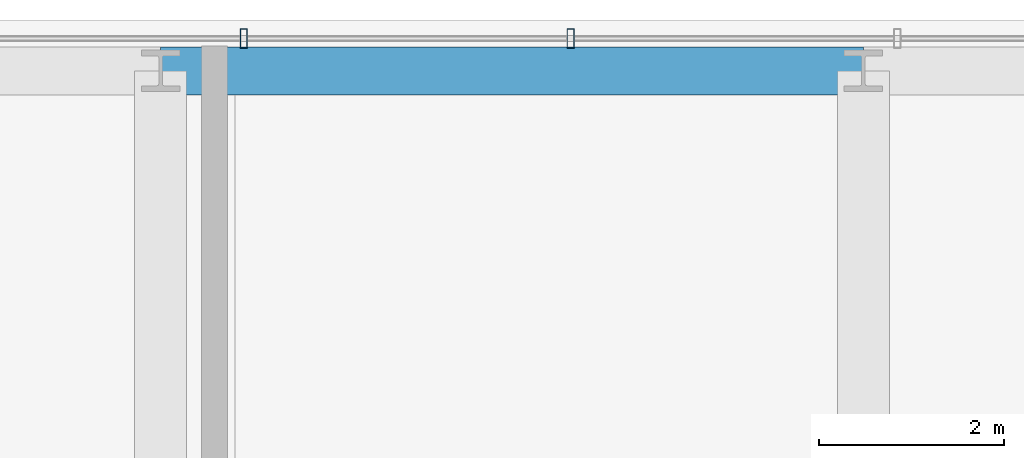
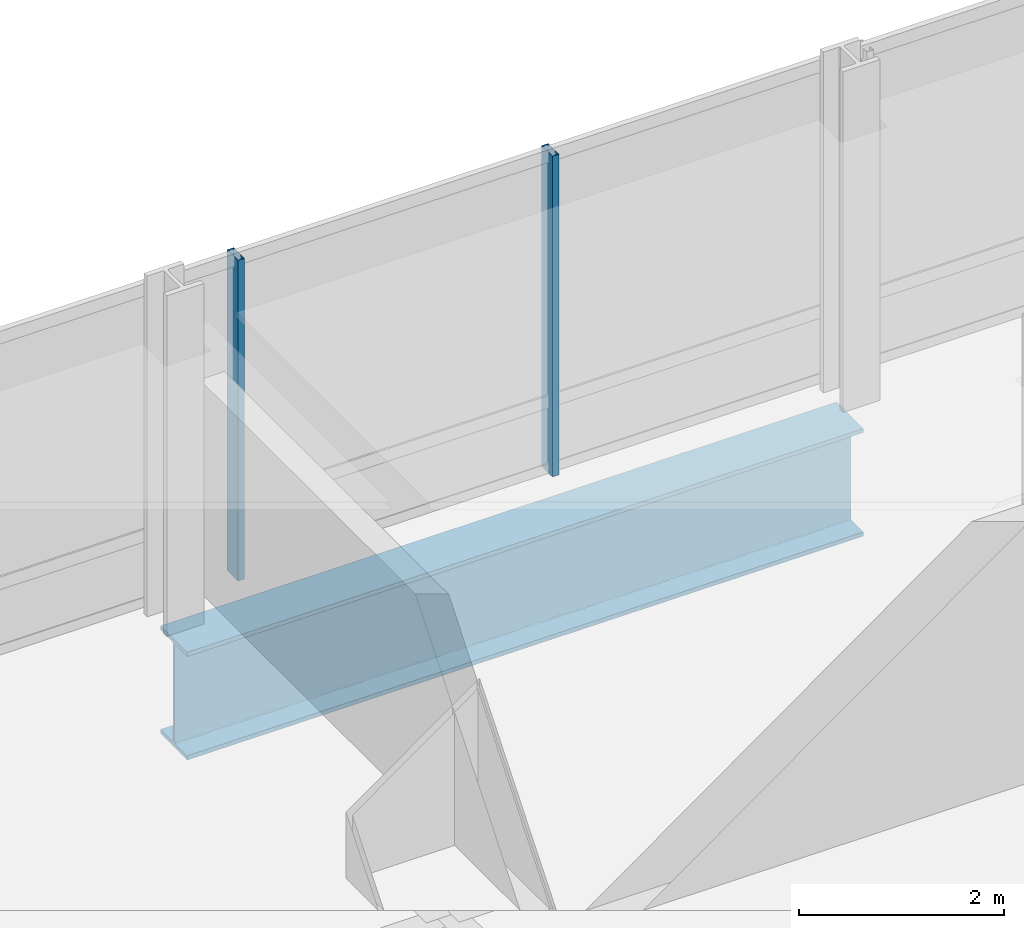
# One storey, part 21 of 34: 2 members, 1 beam, 1 element without a shape of its own.
"""IFC4 building model written with IfcOpenShell, lengths in metres."""

from ifc_helpers import new_model, si_unit, direction, frame, origin, origin_2d, place, context, subcontext, project, spatial, hollow_rectangle, i_section, extrude, material, material_profile, profile_set, type_object, element, aggregate, save


model = new_model("IFC4")

# Units and contexts
model_context = context("Model", 3, precision=1e-05, world=origin(), true_north=direction((0.0, 1.0)))
body_context = subcontext(model_context, "Body", "Model", "MODEL_VIEW")
ifc_project = project(units=[si_unit("LENGTHUNIT", "METRE"), si_unit("AREAUNIT", "SQUARE_METRE"), si_unit("VOLUMEUNIT", "CUBIC_METRE"), si_unit("PLANEANGLEUNIT", "RADIAN"), si_unit("MASSUNIT", "GRAM", prefix="KILO")], contexts=[model_context])

# Site, building, storey
site_placement = place(None, origin())
site = spatial("IfcSite", under=ifc_project, at=site_placement, CompositionType="ELEMENT")
building_placement = place(site_placement, origin())
building = spatial("IfcBuilding", under=site, at=building_placement, Name="Punatoya Terracotta Tower", CompositionType="ELEMENT")
storey_placement = place(building_placement, frame((0.0, 0.0, 97.050048828125)))
storey = spatial("IfcBuildingStorey", under=building, at=storey_placement, Name="L22", CompositionType="ELEMENT", Elevation=97.050048828125)

# Beam
ifc_material_1 = material(Name="Steel S460", Category="steel")
ifc_material_profile_1 = material_profile(ifc_material_1, i_section(OverallWidth=0.52001953125, OverallDepth=1.280029296875, WebThickness=0.031982421875, FlangeThickness=0.050048828125, FilletRadius=0.01806640625, at=origin_2d()))
ifc_profile_set_1 = profile_set([ifc_material_profile_1], Name="Steel S460")
beam_type = type_object("IfcBeamType", Name="BM-TG-NCK", PredefinedType="BEAM", material=ifc_profile_set_1)
beam_placement = place(storey_placement, frame((-3.800048828125, 22.89990234375, -0.880126953125), z_axis=(1.0, 0.0, 0.0), x_axis=(0.0, 1.0, 0.0)))
element("IfcBeam", 1, at=beam_placement, inside=storey, type_object=beam_type, Name="BM-L22-PER-N2", PredefinedType="BEAM", context=body_context, shape_type="SweptSolid", body=[
    extrude(i_section(OverallWidth=0.52001953125, OverallDepth=1.280029296875, WebThickness=0.031982421875, FlangeThickness=0.050048828125, FilletRadius=0.01806640625, at=origin_2d()), origin(), (0.0, 0.0, 1.0), 7.60009765625),
])

# Curtain wall, members
ifc_material_2 = material(Name="Aluminium 6063-T6 + Double Low-E Glass", Category="aluminium")
curtain_wall_type = type_object("IfcCurtainWallType", Name="CW-M1", PredefinedType="NOTDEFINED", material=ifc_material_2)
curtain_wall_placement = place(storey_placement, origin())
curtain_wall = element("IfcCurtainWall", 2, at=curtain_wall_placement, inside=storey, type_object=curtain_wall_type, Name="L22 Curtain Wall CW-L22-N09-1", PredefinedType="NOTDEFINED")
ifc_material_3 = material(Name="Aluminium 6063-T6", Category="aluminium")
ifc_material_profile_2 = material_profile(ifc_material_3, hollow_rectangle(XDim=0.074951171875, YDim=0.2099609375, WallThickness=0.00439453125, at=origin_2d()))
ifc_profile_set_2 = profile_set([ifc_material_profile_2], Name="Aluminium 6063-T6")
member_type = type_object("IfcMemberType", Name="CW-MUL-M1", PredefinedType="MULLION", material=ifc_profile_set_2)
member_1_placement = place(storey_placement, frame((0.633056640625, 23.25, 0.0), z_axis=(0.0, 0.0, 1.0), x_axis=(1.0, 0.0, 0.0)))
member_1 = element("IfcMember", 3, at=member_1_placement, type_object=member_type, Name="CW-L22-N09-1 Mullion 06", PredefinedType="MULLION", context=body_context, shape_type="SweptSolid", body=[
    extrude(hollow_rectangle(XDim=0.074951171875, YDim=0.2099609375, WallThickness=0.00439453125, at=origin_2d()), origin(), (0.0, 0.0, 1.0), 3.81005859375),
])
member_2_placement = place(storey_placement, frame((-2.90087890625, 23.25, 0.0), z_axis=(0.0, 0.0, 1.0), x_axis=(1.0, 0.0, 0.0)))
member_2 = element("IfcMember", 4, at=member_2_placement, type_object=member_type, Name="CW-L22-N09-1 Mullion 07", PredefinedType="MULLION", context=body_context, shape_type="SweptSolid", body=[
    extrude(hollow_rectangle(XDim=0.074951171875, YDim=0.2099609375, WallThickness=0.00439453125, at=origin_2d()), origin(), (0.0, 0.0, 1.0), 3.81005859375),
])
aggregate(curtain_wall, [member_1, member_2])

save(model, "model.ifc")
